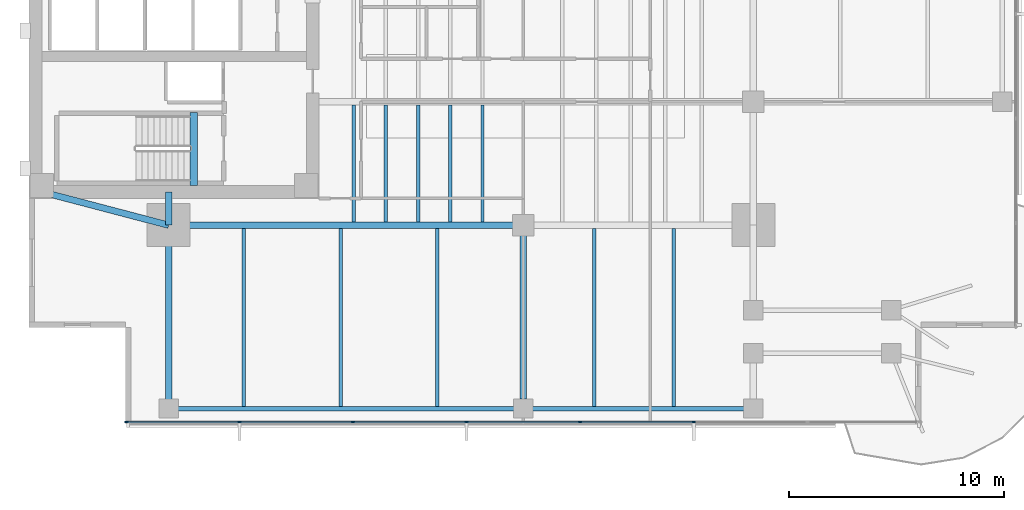
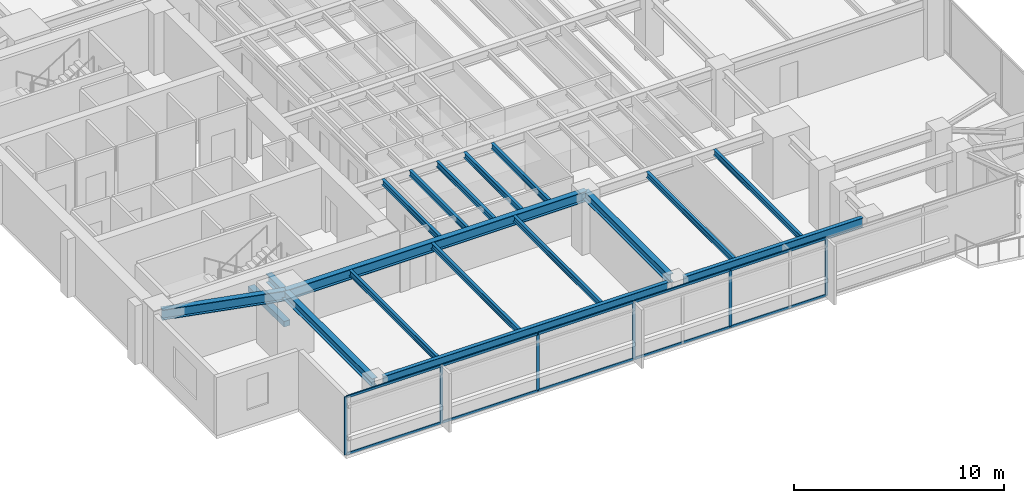
# One storey, part 2 of 14: 18 beams, 16 members, 1 element without a shape of its own.
"""IFC4 building model written with IfcOpenShell, lengths in metres."""

from ifc_helpers import new_model, si_unit, direction, frame, origin, origin_2d, place, context, subcontext, project, spatial, rectangle, i_section, extrude, material, layer, layer_set, material_profile, profile_set, type_object, element, aggregate, save


model = new_model("IFC4")

# Units and contexts
model_context = context("Model", 3, precision=1e-05, world=origin(), true_north=direction((0.0, 1.0)))
body_context = subcontext(model_context, "Body", "Model", "MODEL_VIEW")
ifc_project = project(units=[si_unit("LENGTHUNIT", "METRE"), si_unit("AREAUNIT", "SQUARE_METRE"), si_unit("VOLUMEUNIT", "CUBIC_METRE"), si_unit("PLANEANGLEUNIT", "RADIAN"), si_unit("MASSUNIT", "GRAM", prefix="KILO")], contexts=[model_context])

# Site, building, storey
site_placement = place(None, origin())
site = spatial("IfcSite", under=ifc_project, at=site_placement, CompositionType="ELEMENT")
building_placement = place(site_placement, origin())
building = spatial("IfcBuilding", under=site, at=building_placement, Name="Kinhvarn Gate Tower", CompositionType="ELEMENT")
storey_placement = place(building_placement, frame((0.0, 0.0, 141.300048828125)))
storey = spatial("IfcBuildingStorey", under=building, at=storey_placement, Name="L37", CompositionType="ELEMENT", Elevation=141.300048828125)

# Beam
ifc_material_1 = material(Name="Concrete C50/60", Category="concrete")
ifc_material_profile_1 = material_profile(ifc_material_1, rectangle(XDim=0.340087890625, YDim=0.320068359375, at=origin_2d()), Name="RC 340x320")
ifc_profile_set_1 = profile_set([ifc_material_profile_1], Name="Concrete C50/60")
beam_type_1 = type_object("IfcBeamType", Name="BM-LND-500", PredefinedType="BEAM", material=ifc_profile_set_1)
beam_1_placement = place(storey_placement, frame((12.1650390625, 14.60009765625, -0.16015625), z_axis=(0.0, 1.0, 0.0), x_axis=(-1.0, 0.0, 0.0)))
element("IfcBeam", 1, at=beam_1_placement, inside=storey, type_object=beam_type_1, Name="Stair ST1 Landing Nosing Beam (L37)", PredefinedType="BEAM", context=body_context, shape_type="SweptSolid", body=[
    extrude(rectangle(XDim=0.340087890625, YDim=0.320068359375, at=origin_2d()), origin(), (0.0, 0.0, 1.0), 3.39990234375),
])

# Curtain wall, members
ifc_material_2 = material(Name="Anodised aluminium AW-6063", Category="aluminium")
ifc_layer = layer(ifc_material_2, 0.179931640625)
ifc_layer_set = layer_set([ifc_layer], Name="Anodised aluminium AW-6063")
curtain_wall_type = type_object("IfcCurtainWallType", Name="CW-SYS-3", PredefinedType="NOTDEFINED", material=ifc_layer_set)
curtain_wall_placement = place(storey_placement, origin())
curtain_wall = element("IfcCurtainWall", 2, at=curtain_wall_placement, inside=storey, type_object=curtain_wall_type, Name="Curtain Wall CW3 (L37)", PredefinedType="NOTDEFINED")
ifc_material_profile_2 = material_profile(ifc_material_2, rectangle(XDim=0.06494140625, YDim=0.159912109375, at=origin_2d()), Name="ALU 65x160")
ifc_profile_set_2 = profile_set([ifc_material_profile_2], Name="Anodised aluminium AW-6063")
member_type_1 = type_object("IfcMemberType", Name="CW-MUL-160", PredefinedType="MULLION", material=ifc_profile_set_2)
member_1_placement = place(storey_placement, frame((9.032470703125, 3.590087890625, 0.0), z_axis=(0.0, 0.0, 1.0), x_axis=(0.0, 1.0, 0.0)))
member_1 = element("IfcMember", 3, at=member_1_placement, type_object=member_type_1, Name="CW3 mullion 1", PredefinedType="MULLION", context=body_context, shape_type="SweptSolid", body=[
    extrude(rectangle(XDim=0.06494140625, YDim=0.159912109375, at=origin_2d()), origin(), (0.0, 0.0, 1.0), 3.369873046875),
])
member_2_placement = place(storey_placement, frame((14.28564453125, 3.590087890625, 0.0), z_axis=(0.0, 0.0, 1.0), x_axis=(0.0, 1.0, 0.0)))
member_2 = element("IfcMember", 4, at=member_2_placement, type_object=member_type_1, Name="CW3 mullion 2", PredefinedType="MULLION", context=body_context, shape_type="SweptSolid", body=[
    extrude(rectangle(XDim=0.06494140625, YDim=0.159912109375, at=origin_2d()), origin(), (0.0, 0.0, 1.0), 3.369873046875),
])
member_3_placement = place(storey_placement, frame((19.571533203125, 3.590087890625, 0.0), z_axis=(0.0, 0.0, 1.0), x_axis=(0.0, 1.0, 0.0)))
member_3 = element("IfcMember", 5, at=member_3_placement, type_object=member_type_1, Name="CW3 mullion 3", PredefinedType="MULLION", context=body_context, shape_type="SweptSolid", body=[
    extrude(rectangle(XDim=0.06494140625, YDim=0.159912109375, at=origin_2d()), origin(), (0.0, 0.0, 1.0), 3.369873046875),
])
member_4_placement = place(storey_placement, frame((24.857177734375, 3.590087890625, 0.0), z_axis=(0.0, 0.0, 1.0), x_axis=(0.0, 1.0, 0.0)))
member_4 = element("IfcMember", 6, at=member_4_placement, type_object=member_type_1, Name="CW3 mullion 4", PredefinedType="MULLION", context=body_context, shape_type="SweptSolid", body=[
    extrude(rectangle(XDim=0.06494140625, YDim=0.159912109375, at=origin_2d()), origin(), (0.0, 0.0, 1.0), 3.369873046875),
])
member_5_placement = place(storey_placement, frame((30.142822265625, 3.590087890625, 0.0), z_axis=(0.0, 0.0, 1.0), x_axis=(0.0, 1.0, 0.0)))
member_5 = element("IfcMember", 7, at=member_5_placement, type_object=member_type_1, Name="CW3 mullion 5", PredefinedType="MULLION", context=body_context, shape_type="SweptSolid", body=[
    extrude(rectangle(XDim=0.06494140625, YDim=0.159912109375, at=origin_2d()), origin(), (0.0, 0.0, 1.0), 3.369873046875),
])
member_6_placement = place(storey_placement, frame((35.428466796875, 3.590087890625, 0.0), z_axis=(0.0, 0.0, 1.0), x_axis=(0.0, 1.0, 0.0)))
member_6 = element("IfcMember", 8, at=member_6_placement, type_object=member_type_1, Name="CW3 mullion 6", PredefinedType="MULLION", context=body_context, shape_type="SweptSolid", body=[
    extrude(rectangle(XDim=0.06494140625, YDim=0.159912109375, at=origin_2d()), origin(), (0.0, 0.0, 1.0), 3.369873046875),
])
ifc_material_profile_3 = material_profile(ifc_material_2, rectangle(XDim=0.070068359375, YDim=0.139892578125, at=origin_2d()), Name="ALU 70x140")
ifc_profile_set_3 = profile_set([ifc_material_profile_3], Name="Anodised aluminium AW-6063")
member_type_2 = type_object("IfcMemberType", Name="CW-TRN-140", PredefinedType="USERDEFINED", material=ifc_profile_set_3)
member_7_placement = place(storey_placement, frame((9.06494140625, 3.590087890625, 0.034912109375), z_axis=(1.0, 0.0, 0.0), x_axis=(0.0, 1.0, 0.0)))
member_7 = element("IfcMember", 9, at=member_7_placement, type_object=member_type_2, Name="CW3 transom 1.1", ObjectType="TRANSOM", PredefinedType="USERDEFINED", context=body_context, shape_type="SweptSolid", body=[
    extrude(rectangle(XDim=0.070068359375, YDim=0.139892578125, at=origin_2d()), origin(), (0.0, 0.0, 1.0), 5.188232421875),
])
member_8_placement = place(storey_placement, frame((9.06494140625, 3.590087890625, 3.3349609375), z_axis=(1.0, 0.0, 0.0), x_axis=(0.0, 1.0, 0.0)))
member_8 = element("IfcMember", 10, at=member_8_placement, type_object=member_type_2, Name="CW3 transom 1.2", ObjectType="TRANSOM", PredefinedType="USERDEFINED", context=body_context, shape_type="SweptSolid", body=[
    extrude(rectangle(XDim=0.070068359375, YDim=0.139892578125, at=origin_2d()), origin(), (0.0, 0.0, 1.0), 5.188232421875),
])
member_9_placement = place(storey_placement, frame((14.318115234375, 3.590087890625, 0.034912109375), z_axis=(1.0, 0.0, 0.0), x_axis=(0.0, 1.0, 0.0)))
member_9 = element("IfcMember", 11, at=member_9_placement, type_object=member_type_2, Name="CW3 transom 2.1", ObjectType="TRANSOM", PredefinedType="USERDEFINED", context=body_context, shape_type="SweptSolid", body=[
    extrude(rectangle(XDim=0.070068359375, YDim=0.139892578125, at=origin_2d()), origin(), (0.0, 0.0, 1.0), 5.220703125),
])
member_10_placement = place(storey_placement, frame((14.318115234375, 3.590087890625, 3.3349609375), z_axis=(1.0, 0.0, 0.0), x_axis=(0.0, 1.0, 0.0)))
member_10 = element("IfcMember", 12, at=member_10_placement, type_object=member_type_2, Name="CW3 transom 2.2", ObjectType="TRANSOM", PredefinedType="USERDEFINED", context=body_context, shape_type="SweptSolid", body=[
    extrude(rectangle(XDim=0.070068359375, YDim=0.139892578125, at=origin_2d()), origin(), (0.0, 0.0, 1.0), 5.220703125),
])
member_11_placement = place(storey_placement, frame((19.60400390625, 3.590087890625, 0.034912109375), z_axis=(1.0, 0.0, 0.0), x_axis=(0.0, 1.0, 0.0)))
member_11 = element("IfcMember", 13, at=member_11_placement, type_object=member_type_2, Name="CW3 transom 3.1", ObjectType="TRANSOM", PredefinedType="USERDEFINED", context=body_context, shape_type="SweptSolid", body=[
    extrude(rectangle(XDim=0.070068359375, YDim=0.139892578125, at=origin_2d()), origin(), (0.0, 0.0, 1.0), 5.220703125),
])
member_12_placement = place(storey_placement, frame((19.60400390625, 3.590087890625, 3.3349609375), z_axis=(1.0, 0.0, 0.0), x_axis=(0.0, 1.0, 0.0)))
member_12 = element("IfcMember", 14, at=member_12_placement, type_object=member_type_2, Name="CW3 transom 3.2", ObjectType="TRANSOM", PredefinedType="USERDEFINED", context=body_context, shape_type="SweptSolid", body=[
    extrude(rectangle(XDim=0.070068359375, YDim=0.139892578125, at=origin_2d()), origin(), (0.0, 0.0, 1.0), 5.220703125),
])
member_13_placement = place(storey_placement, frame((24.8896484375, 3.590087890625, 0.034912109375), z_axis=(1.0, 0.0, 0.0), x_axis=(0.0, 1.0, 0.0)))
member_13 = element("IfcMember", 15, at=member_13_placement, type_object=member_type_2, Name="CW3 transom 4.1", ObjectType="TRANSOM", PredefinedType="USERDEFINED", context=body_context, shape_type="SweptSolid", body=[
    extrude(rectangle(XDim=0.070068359375, YDim=0.139892578125, at=origin_2d()), origin(), (0.0, 0.0, 1.0), 5.220703125),
])
member_14_placement = place(storey_placement, frame((24.8896484375, 3.590087890625, 3.3349609375), z_axis=(1.0, 0.0, 0.0), x_axis=(0.0, 1.0, 0.0)))
member_14 = element("IfcMember", 16, at=member_14_placement, type_object=member_type_2, Name="CW3 transom 4.2", ObjectType="TRANSOM", PredefinedType="USERDEFINED", context=body_context, shape_type="SweptSolid", body=[
    extrude(rectangle(XDim=0.070068359375, YDim=0.139892578125, at=origin_2d()), origin(), (0.0, 0.0, 1.0), 5.220703125),
])
member_15_placement = place(storey_placement, frame((30.17529296875, 3.590087890625, 0.034912109375), z_axis=(1.0, 0.0, 0.0), x_axis=(0.0, 1.0, 0.0)))
member_15 = element("IfcMember", 17, at=member_15_placement, type_object=member_type_2, Name="CW3 transom 5.1", ObjectType="TRANSOM", PredefinedType="USERDEFINED", context=body_context, shape_type="SweptSolid", body=[
    extrude(rectangle(XDim=0.070068359375, YDim=0.139892578125, at=origin_2d()), origin(), (0.0, 0.0, 1.0), 5.220703125),
])
member_16_placement = place(storey_placement, frame((30.17529296875, 3.590087890625, 3.3349609375), z_axis=(1.0, 0.0, 0.0), x_axis=(0.0, 1.0, 0.0)))
member_16 = element("IfcMember", 18, at=member_16_placement, type_object=member_type_2, Name="CW3 transom 5.2", ObjectType="TRANSOM", PredefinedType="USERDEFINED", context=body_context, shape_type="SweptSolid", body=[
    extrude(rectangle(XDim=0.070068359375, YDim=0.139892578125, at=origin_2d()), origin(), (0.0, 0.0, 1.0), 5.220703125),
])
aggregate(curtain_wall, [member_1, member_2, member_3, member_4, member_5, member_6, member_7, member_8, member_9, member_10, member_11, member_12, member_13, member_14, member_15, member_16])

# Beams
ifc_material_3 = material(Name="Steel S355", Category="steel")
ifc_material_profile_4 = material_profile(ifc_material_3, i_section(OverallWidth=0.300048828125, OverallDepth=0.5, WebThickness=0.014404296875, FlangeThickness=0.028076171875, at=origin_2d()), Name="HEB 500")
ifc_profile_set_4 = profile_set([ifc_material_profile_4], Name="Steel S355")
beam_type_2 = type_object("IfcBeamType", Name="STL-HEB500", PredefinedType="BEAM", material=ifc_profile_set_4)
beam_2_placement = place(storey_placement, frame((11.0, 4.219970703125, 3.119873046875), z_axis=(0.0, 1.0, 0.0), x_axis=(-1.0, 0.0, 0.0)))
element("IfcBeam", 19, at=beam_2_placement, inside=storey, type_object=beam_type_2, Name="Floor Beam PG-14 (L37 MCW-S)", PredefinedType="BEAM", context=body_context, shape_type="SweptSolid", body=[
    extrude(i_section(OverallWidth=0.300048828125, OverallDepth=0.5, WebThickness=0.014404296875, FlangeThickness=0.028076171875, at=origin_2d()), origin(), (0.0, 0.0, 1.0), 8.530029296875),
])
beam_3_placement = place(storey_placement, frame((11.0, 12.75, 3.119873046875), z_axis=(0.0, 1.0, 0.0), x_axis=(-1.0, 0.0, 0.0)))
element("IfcBeam", 20, at=beam_3_placement, inside=storey, type_object=beam_type_2, Name="Floor Beam PG-14 (L37 MCW-CS)", PredefinedType="BEAM", context=body_context, shape_type="SweptSolid", body=[
    extrude(i_section(OverallWidth=0.300048828125, OverallDepth=0.5, WebThickness=0.014404296875, FlangeThickness=0.028076171875, at=origin_2d()), origin(), (0.0, 0.0, 1.0), 1.550048828125),
])
beam_4_placement = place(storey_placement, frame((27.5, 4.655029296875, 3.119873046875), z_axis=(0.0, 1.0, 0.0), x_axis=(-1.0, 0.0, 0.0)))
element("IfcBeam", 21, at=beam_4_placement, inside=storey, type_object=beam_type_2, Name="Floor Beam PG-14 (L37 SP27-S-TIE)", PredefinedType="BEAM", context=body_context, shape_type="SweptSolid", body=[
    extrude(i_section(OverallWidth=0.300048828125, OverallDepth=0.5, WebThickness=0.014404296875, FlangeThickness=0.028076171875, at=origin_2d()), origin(), (0.0, 0.0, 1.0), 8.094970703125),
])
ifc_material_profile_5 = material_profile(ifc_material_3, i_section(OverallWidth=0.300048828125, OverallDepth=0.60009765625, WebThickness=0.015380859375, FlangeThickness=0.030029296875, at=origin_2d()), Name="HEB 600")
ifc_profile_set_5 = profile_set([ifc_material_profile_5], Name="Steel S355")
beam_type_3 = type_object("IfcBeamType", Name="STL-HEB600", PredefinedType="BEAM", material=ifc_profile_set_5)
beam_5_placement = place(storey_placement, frame((11.0, 12.75, 3.070068359375), z_axis=(1.0, 0.0, 0.0), x_axis=(0.0, 1.0, 0.0)))
element("IfcBeam", 22, at=beam_5_placement, inside=storey, type_object=beam_type_3, Name="Floor Beam PG-16 (L37 MG-S1)", PredefinedType="BEAM", context=body_context, shape_type="SweptSolid", body=[
    extrude(i_section(OverallWidth=0.300048828125, OverallDepth=0.60009765625, WebThickness=0.015380859375, FlangeThickness=0.030029296875, at=origin_2d()), origin(), (0.0, 0.0, 1.0), 16.5),
])
beam_6_placement = place(storey_placement, frame((5.10009765625, 14.300048828125, 3.070068359375), z_axis=(0.967177623957, -0.254101246979, 0.0), x_axis=(0.254101246979, 0.967177623957, 0.0)))
element("IfcBeam", 23, at=beam_6_placement, inside=storey, type_object=beam_type_3, Name="Floor Beam PG-16 (L37 MG-SW-DIAG)", PredefinedType="BEAM", context=body_context, shape_type="SweptSolid", body=[
    extrude(i_section(OverallWidth=0.300048828125, OverallDepth=0.60009765625, WebThickness=0.015380859375, FlangeThickness=0.030029296875, at=origin_2d()), origin(), (0.0, 0.0, 1.0), 6.10009765625),
])
ifc_material_profile_6 = material_profile(ifc_material_3, i_section(OverallWidth=0.159912109375, OverallDepth=0.330078125, WebThickness=0.007568359375, FlangeThickness=0.011474609375, at=origin_2d()), Name="IPE 330")
ifc_profile_set_6 = profile_set([ifc_material_profile_6], Name="Steel S355")
beam_type_4 = type_object("IfcBeamType", Name="STL-IPE330", PredefinedType="JOIST", material=ifc_profile_set_6)
for number, where, z_axis, x_axis, name in (
    (24, (19.60009765625, 12.89990234375, 3.204833984375), (0.0, 1.0, 0.0), (-1.0, 0.0, 0.0), "Floor Joist SB-03 (L37 JC-X196-0)"),
    (25, (21.10009765625, 12.89990234375, 3.204833984375), (0.0, 1.0, 0.0), (-1.0, 0.0, 0.0), "Floor Joist SB-03 (L37 JC-X211-0)"),
    (26, (22.60009765625, 12.89990234375, 3.204833984375), (0.0, 1.0, 0.0), (-1.0, 0.0, 0.0), "Floor Joist SB-03 (L37 JC-X226-0)"),
    (27, (24.10009765625, 12.89990234375, 3.204833984375), (0.0, 1.0, 0.0), (-1.0, 0.0, 0.0), "Floor Joist SB-03 (L37 JC-X241-0)"),
    (28, (25.60009765625, 12.89990234375, 3.204833984375), (0.0, 1.0, 0.0), (-1.0, 0.0, 0.0), "Floor Joist SB-03 (L37 JC-X256-0)"),
):
    element("IfcBeam", number, at=place(storey_placement, frame(where, z_axis=z_axis, x_axis=x_axis)), inside=storey, type_object=beam_type_4, Name=name, PredefinedType="JOIST", context=body_context, shape_type="SweptSolid", body=[
        extrude(i_section(OverallWidth=0.159912109375, OverallDepth=0.330078125, WebThickness=0.007568359375, FlangeThickness=0.011474609375, at=origin_2d()), origin(), (0.0, 0.0, 1.0), 5.4501953125),
    ])
for number, where, z_axis, x_axis, name in (
    (29, (14.5, 4.324951171875, 3.204833984375), (0.0, 1.0, 0.0), (-1.0, 0.0, 0.0), "Floor Joist SB-03 (L37 JS-X145)"),
    (30, (19.0, 4.324951171875, 3.204833984375), (0.0, 1.0, 0.0), (-1.0, 0.0, 0.0), "Floor Joist SB-03 (L37 JS-X190)"),
    (31, (23.5, 4.324951171875, 3.204833984375), (0.0, 1.0, 0.0), (-1.0, 0.0, 0.0), "Floor Joist SB-03 (L37 JS-X235)"),
    (32, (30.800048828125, 4.324951171875, 3.204833984375), (0.0, 1.0, 0.0), (-1.0, 0.0, 0.0), "Floor Joist SB-03 (L37 JS-X308)"),
    (33, (34.5, 4.324951171875, 3.204833984375), (0.0, 1.0, 0.0), (-1.0, 0.0, 0.0), "Floor Joist SB-03 (L37 JS-X345)"),
):
    element("IfcBeam", number, at=place(storey_placement, frame(where, z_axis=z_axis, x_axis=x_axis)), inside=storey, type_object=beam_type_4, Name=name, PredefinedType="JOIST", context=body_context, shape_type="SweptSolid", body=[
        extrude(i_section(OverallWidth=0.159912109375, OverallDepth=0.330078125, WebThickness=0.007568359375, FlangeThickness=0.011474609375, at=origin_2d()), origin(), (0.0, 0.0, 1.0), 8.275146484375),
    ])
ifc_material_profile_7 = material_profile(ifc_material_3, i_section(OverallWidth=0.2099609375, OverallDepth=0.550048828125, WebThickness=0.010986328125, FlangeThickness=0.01708984375, at=origin_2d()), Name="IPE 550")
ifc_profile_set_7 = profile_set([ifc_material_profile_7], Name="Steel S355")
beam_type_5 = type_object("IfcBeamType", Name="STL-IPE550", PredefinedType="SPANDREL", material=ifc_profile_set_7)
beam_7_placement = place(storey_placement, frame((11.43505859375, 4.219970703125, 3.094970703125), z_axis=(1.0, 0.0, 0.0), x_axis=(0.0, 1.0, 0.0)))
element("IfcBeam", 34, at=beam_7_placement, inside=storey, type_object=beam_type_5, Name="Floor Spandrel SB-08 (L37 SP-S1)", PredefinedType="SPANDREL", context=body_context, shape_type="SweptSolid", body=[
    extrude(i_section(OverallWidth=0.2099609375, OverallDepth=0.550048828125, WebThickness=0.010986328125, FlangeThickness=0.01708984375, at=origin_2d()), origin(), (0.0, 0.0, 1.0), 15.6298828125),
])
beam_8_placement = place(storey_placement, frame((27.93505859375, 4.219970703125, 3.094970703125), z_axis=(1.0, 0.0, 0.0), x_axis=(0.0, 1.0, 0.0)))
element("IfcBeam", 35, at=beam_8_placement, inside=storey, type_object=beam_type_5, Name="Floor Spandrel SB-08 (L37 SP-S2)", PredefinedType="SPANDREL", context=body_context, shape_type="SweptSolid", body=[
    extrude(i_section(OverallWidth=0.2099609375, OverallDepth=0.550048828125, WebThickness=0.010986328125, FlangeThickness=0.01708984375, at=origin_2d()), origin(), (0.0, 0.0, 1.0), 9.829833984375),
])

save(model, "model.ifc")
